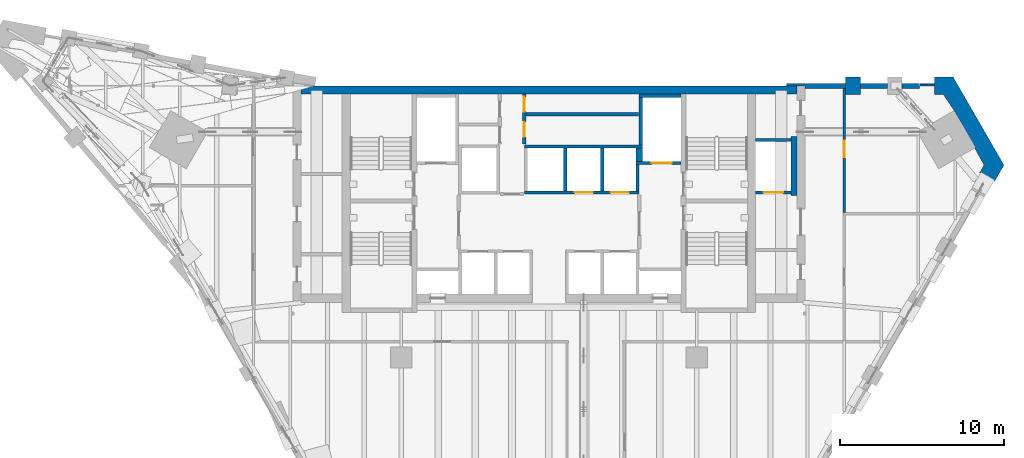
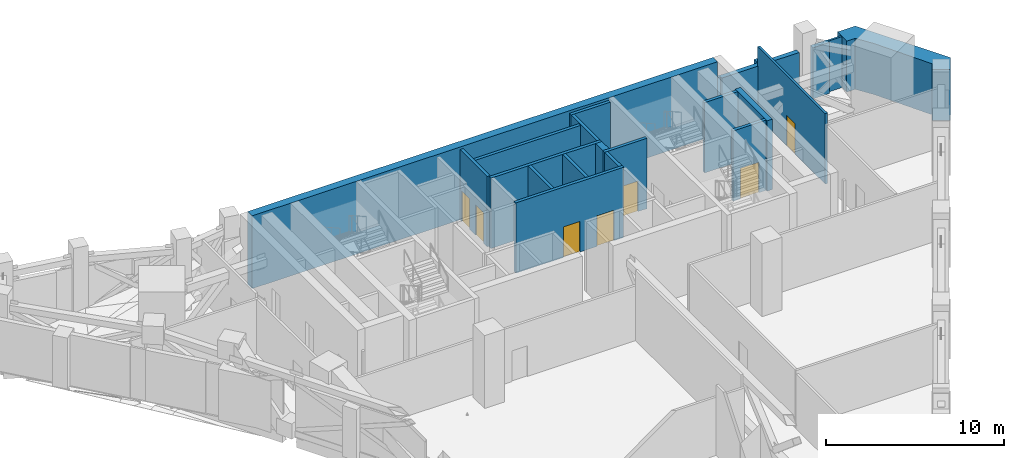
# One storey, part 12 of 22: 22 walls, 7 doors, 7 openings.
"""IFC4 building model written with IfcOpenShell, lengths in metres."""

import ifcopenshell
import ifcopenshell.guid

model = None  # the IFC model being written
_history = None  # IfcOwnerHistory: only IFC2X3 demands one
_inside = {}  # id of a spatial element -> (the spatial element, [elements in it])
_under = {}  # id of a project, library or spatial element -> (it, [spatial elements below it])
_declared = {}  # id of a project -> (the project, [libraries it declares])
_typed = {}  # id of a type object -> (the type object, [elements of that type])
_made_of = {}  # id of a material, layer set ... -> (it, [elements and type objects made of it])


def new_model(schema):
    """Start an empty IFC model of exactly this schema.

    Asked for "IFC4X3", IfcOpenShell would pick the latest addendum, in which some entities
    have other attributes; the version numbers below select the first issue.
    IFC2X3 requires an IfcOwnerHistory on every rooted entity: one is made here for all.
    """
    global model, _history
    if schema == "IFC4X3":
        model = ifcopenshell.file(schema_version=(4, 3, 0, 0))
    else:
        model = ifcopenshell.file(schema=schema)
    _inside.clear()
    _under.clear()
    _declared.clear()
    _typed.clear()
    _made_of.clear()
    _history = None
    if model.schema == "IFC2X3":
        org = make("IfcOrganization", Name="unknown")
        user = make(
            "IfcPersonAndOrganization",
            ThePerson=make("IfcPerson", FamilyName="unknown"),
            TheOrganization=org,
        )
        app = make(
            "IfcApplication",
            ApplicationDeveloper=org,
            Version="unknown",
            ApplicationFullName="unknown",
            ApplicationIdentifier="unknown",
        )
        _history = make(
            "IfcOwnerHistory",
            OwningUser=user,
            OwningApplication=app,
            ChangeAction="ADDED",
            CreationDate=0,
        )
    return model


def make(cls, **values):
    """One entity of the class cls with the attributes given. An attribute that is None is left unset."""
    return model.create_entity(
        cls, **{name: value for name, value in values.items() if value is not None}
    )


def rooted(cls, **values):
    """An entity with a GlobalId (a new one), such as an element, a storey or a relation."""
    return make(cls, GlobalId=ifcopenshell.guid.new(), OwnerHistory=_history, **values)


def si_unit(unit_type, name, prefix=None):
    """IfcSIUnit, for example si_unit("LENGTHUNIT", "METRE", prefix="MILLI")."""
    return make("IfcSIUnit", UnitType=unit_type, Prefix=prefix, Name=name)


def assignment(units):
    """IfcUnitAssignment: the units of a project."""
    return None if units is None else make("IfcUnitAssignment", Units=units)


def point(xyz):
    """IfcCartesianPoint."""
    return None if xyz is None else make("IfcCartesianPoint", Coordinates=xyz)


def direction(xyz):
    """IfcDirection."""
    return None if xyz is None else make("IfcDirection", DirectionRatios=xyz)


def frame(location, z_axis=None, x_axis=None):
    """IfcAxis2Placement3D, a coordinate frame: its origin and axes. An axis left out is left unset."""
    return make(
        "IfcAxis2Placement3D",
        Location=point(location),
        Axis=direction(z_axis),
        RefDirection=direction(x_axis),
    )


def frame_2d(location, x_axis=None):
    """IfcAxis2Placement2D, a coordinate frame in the plane: its origin and x axis."""
    return make(
        "IfcAxis2Placement2D", Location=point(location), RefDirection=direction(x_axis)
    )


def origin():
    """The frame at (0, 0, 0) with its axes left unset."""
    return frame((0.0, 0.0, 0.0))


def place(relative_to, where):
    """IfcLocalPlacement: puts the frame where relative to a parent placement (None: the world)."""
    return make(
        "IfcLocalPlacement", PlacementRelTo=relative_to, RelativePlacement=where
    )


def context(
    kind, dimensions, precision=None, world=None, true_north=None, identifier=None
):
    """IfcGeometricRepresentationContext, for example the 3D "Model" context."""
    return make(
        "IfcGeometricRepresentationContext",
        ContextIdentifier=identifier,
        ContextType=kind,
        CoordinateSpaceDimension=dimensions,
        Precision=precision,
        WorldCoordinateSystem=world,
        TrueNorth=true_north,
    )


def subcontext(parent, identifier, kind, view, scale=None):
    """IfcGeometricRepresentationSubContext, for example "Body" below "Model"."""
    return make(
        "IfcGeometricRepresentationSubContext",
        ContextIdentifier=identifier,
        ContextType=kind,
        ParentContext=parent,
        TargetScale=scale,
        TargetView=view,
    )


def project(units=None, contexts=None):
    """IfcProject with its units and contexts."""
    return rooted(
        "IfcProject",
        Name="project",
        RepresentationContexts=contexts,
        UnitsInContext=assignment(units),
    )


def spatial(cls, under=None, at=None, **own):
    """A site, building, storey or space (cls), placed at a placement, below another one or the project."""
    s = rooted(cls, ObjectPlacement=at, **own)
    if under is not None:
        _under.setdefault(under.id(), (under, []))[1].append(s)
    return s


def polyline(points):
    """IfcPolyline through the points."""
    return make("IfcPolyline", Points=[point(p) for p in points])


def profile(cls, at=None, kind="AREA", **sizes):
    """A parametric profile (cls). Its sizes go by their IFC names, for example OverallWidth=200.0."""
    return make(cls, ProfileType=kind, Position=at, **sizes)


def rectangle(**sizes):
    """IfcRectangleProfileDef."""
    return profile("IfcRectangleProfileDef", **sizes)


def outline(outer, holes=None, kind="AREA"):
    """IfcArbitraryClosedProfileDef: a profile drawn as a closed curve; with holes, ...WithVoids."""
    if holes is None:
        return make("IfcArbitraryClosedProfileDef", ProfileType=kind, OuterCurve=outer)
    return make(
        "IfcArbitraryProfileDefWithVoids",
        ProfileType=kind,
        OuterCurve=outer,
        InnerCurves=holes,
    )


def extrude(swept, where, along, depth):
    """IfcExtrudedAreaSolid: the profile swept, set in the frame where, extruded along a direction by depth."""
    return make(
        "IfcExtrudedAreaSolid",
        SweptArea=swept,
        Position=where,
        ExtrudedDirection=direction(along),
        Depth=depth,
    )


def shape(context_of_items, identifier, shape_type, items):
    """IfcShapeRepresentation: the items that make up one representation, for example the "Body"."""
    return make(
        "IfcShapeRepresentation",
        ContextOfItems=context_of_items,
        RepresentationIdentifier=identifier,
        RepresentationType=shape_type,
        Items=items,
    )


def material(Name=None, Category=None):
    """IfcMaterial."""
    return make("IfcMaterial", Name=Name, Category=Category)


def layer(
    of_material, thickness, ventilated=None, Name=None, Category=None, Priority=None
):
    """IfcMaterialLayer: one layer of a wall or slab, of a material (None: an air gap)."""
    return make(
        "IfcMaterialLayer",
        Material=of_material,
        LayerThickness=thickness,
        IsVentilated=ventilated,
        Name=Name,
        Category=Category,
        Priority=Priority,
    )


def layer_set(layers, Name=None):
    """IfcMaterialLayerSet."""
    return make("IfcMaterialLayerSet", MaterialLayers=layers, LayerSetName=Name)


def made_of(thing, what):
    """Note that an element or type object is made of a material, layer set ...; save() writes the relation."""
    if what is not None:
        _made_of.setdefault(what.id(), (what, []))[1].append(thing)
    return thing


def type_object(cls, material=None, **own):
    """A type object (cls), such as IfcWallType, which elements share."""
    return made_of(rooted(cls, **own), material)


def element(
    cls,
    number,
    at=None,
    inside=None,
    cuts=None,
    type_object=None,
    material=None,
    context=None,
    identifier="Body",
    shape_type=None,
    held_by="IfcProductDefinitionShape",
    body=None,
    shapes=None,
    **own,
):
    """One element of the class cls, such as IfcWall. Its Tag is "e" and its number.

    at: its placement. inside: the storey or other place that contains it. cuts: it is an
    opening in that element (IfcRelVoidsElement). A single representation is given by context,
    identifier, shape_type and body (its items); several are given by shapes. held_by: the class
    of the entity that holds the representations. save() writes the other relations.
    """
    e = rooted(cls, Tag="e%d" % number, ObjectPlacement=at, **own)
    if body is not None:
        shapes = [shape(context, identifier, shape_type, body)]
    if shapes is not None:
        e.Representation = make(held_by, Representations=shapes)
    if inside is not None:
        _inside.setdefault(inside.id(), (inside, []))[1].append(e)
    if cuts is not None:
        rooted(
            "IfcRelVoidsElement", RelatingBuildingElement=cuts, RelatedOpeningElement=e
        )
    if type_object is not None:
        _typed.setdefault(type_object.id(), (type_object, []))[1].append(e)
    return made_of(e, material)


def fill(opening, filler):
    """IfcRelFillsElement: the door or window that sits in an opening."""
    return rooted(
        "IfcRelFillsElement",
        RelatingOpeningElement=opening,
        RelatedBuildingElement=filler,
    )


def aggregate(whole, parts):
    """IfcRelAggregates: a whole, such as a stair, and the parts it consists of."""
    return rooted("IfcRelAggregates", RelatingObject=whole, RelatedObjects=parts)


def save(model, path):
    """Write the relations noted so far, then the file.

    IfcRelAggregates (storeys below a building ...), IfcRelContainedInSpatialStructure (elements
    in a storey), IfcRelDefinesByType, IfcRelAssociatesMaterial and IfcRelDeclares: one each for
    every whole, place, type object, material and project.
    """
    for whole, parts in _under.values():
        aggregate(whole, parts)
    for where, things in _inside.values():
        rooted(
            "IfcRelContainedInSpatialStructure",
            RelatedElements=things,
            RelatingStructure=where,
        )
    for kind, things in _typed.values():
        rooted("IfcRelDefinesByType", RelatedObjects=things, RelatingType=kind)
    for what, things in _made_of.values():
        rooted("IfcRelAssociatesMaterial", RelatedObjects=things, RelatingMaterial=what)
    for by, libraries in _declared.values():
        rooted("IfcRelDeclares", RelatingContext=by, RelatedDefinitions=libraries)
    model.write(path)


model = new_model("IFC4")

# Units and contexts
model_context = context("Model", 3, precision=1e-05, world=origin(), true_north=direction((0.0, 1.0)))
body_context = subcontext(model_context, "Body", "Model", "MODEL_VIEW")
ifc_project = project(units=[si_unit("LENGTHUNIT", "METRE"), si_unit("AREAUNIT", "SQUARE_METRE"), si_unit("VOLUMEUNIT", "CUBIC_METRE"), si_unit("PLANEANGLEUNIT", "RADIAN"), si_unit("MASSUNIT", "GRAM", prefix="KILO")], contexts=[model_context])

# Site, building, storey
site_placement = place(None, origin())
site = spatial("IfcSite", under=ifc_project, at=site_placement, CompositionType="ELEMENT")
building_placement = place(site_placement, origin())
building = spatial("IfcBuilding", under=site, at=building_placement, Name="Calabash Gate Tower", CompositionType="ELEMENT")
storey_placement = place(building_placement, frame((0.0, 0.0, 191.39990234375)))
storey = spatial("IfcBuildingStorey", under=building, at=storey_placement, Name="L45", CompositionType="ELEMENT", Elevation=191.39990234375)

# Walls
ifc_material_1 = material(Name="Terracotta brick masonry, exposed face", Category="masonry")
ifc_layer_1 = layer(ifc_material_1, 1.050048828125)
ifc_layer_set_1 = layer_set([ifc_layer_1], Name="Brick end wall 1050")
wall_type_1 = type_object("IfcWallType", Name="Brick end wall 1050", PredefinedType="SOLIDWALL", material=ifc_layer_set_1)
wall_1_placement = place(storey_placement, origin())
element("IfcWall", 1, at=wall_1_placement, inside=storey, type_object=wall_type_1, Name="Brick pier L45 N6.1", PredefinedType="SOLIDWALL", context=body_context, shape_type="SweptSolid", body=[
    extrude(outline(polyline([(18.081787109375, 18.527587890625), (18.98193359375, 18.527587890625), (18.98193359375, 19.57763671875), (18.081787109375, 19.57763671875), (18.081787109375, 18.527587890625)])), origin(), (0.0, 0.0, 1.0), 3.5),
])
wall_2_placement = place(storey_placement, origin())
element("IfcWall", 2, at=wall_2_placement, inside=storey, type_object=wall_type_1, Name="Brick end wall L45 4", PredefinedType="SOLIDWALL", context=body_context, shape_type="SweptSolid", body=[
    extrude(outline(polyline([(26.241943359375, 13.746826171875), (27.1513671875, 13.221923828125), (27.727783203125, 14.22021484375), (24.634765625, 19.57763671875), (23.48193359375, 19.57763671875), (23.48193359375, 18.527587890625), (24.028564453125, 18.527587890625), (24.69775390625, 17.5439453125), (26.515380859375, 14.22021484375), (26.241943359375, 13.746826171875)])), origin(), (0.0, 0.0, 1.0), 3.5),
])
ifc_material_2 = material(Name="Concrete C70/85", Category="concrete")
ifc_layer_2 = layer(ifc_material_2, 0.5)
ifc_layer_set_2 = layer_set([ifc_layer_2], Name="Core wall 500 Concrete C70/85")
wall_type_2 = type_object("IfcWallType", Name="Core wall 500 Concrete C70/85", PredefinedType="SHEAR", material=ifc_layer_set_2)
wall_3_placement = place(storey_placement, frame((-15.10009765625, 18.802490234375, 0.0), z_axis=(0.0, 0.0, 1.0), x_axis=(1.0, 0.0, 0.0)))
element("IfcWall", 3, at=wall_3_placement, inside=storey, type_object=wall_type_2, Name="Core wall Z3-N L45", PredefinedType="SHEAR", context=body_context, shape_type="SweptSolid", body=[
    extrude(rectangle(XDim=30.2001953125, YDim=0.5, at=frame_2d((15.10009765625, 0.0))), origin(), (0.0, 0.0, 1.0), 5.0),
])

# Wall, opening, door
ifc_material_3 = material(Name="Gypsum board on steel studs, mineral wool", Category="steel")
ifc_layer_3 = layer(ifc_material_3, 0.14990234375)
ifc_layer_set_3 = layer_set([ifc_layer_3], Name="Partition 150 gypsum board")
wall_type_3 = type_object("IfcWallType", Name="Partition 150 gypsum board", PredefinedType="PARTITIONING", material=ifc_layer_set_3)
wall_4_placement = place(storey_placement, frame((18.0, 11.32763671875, 0.0), z_axis=(0.0, 0.0, 1.0), x_axis=(0.0, 1.0, 0.0)))
wall_4 = element("IfcWall", 4, at=wall_4_placement, inside=storey, type_object=wall_type_3, Name="Partition", PredefinedType="PARTITIONING", context=body_context, shape_type="SweptSolid", body=[
    extrude(rectangle(XDim=7.594970703125, YDim=0.14990234375, at=frame_2d((3.79736328125, 0.0))), origin(), (0.0, 0.0, 1.0), 4.830078125),
])
opening_1_placement = place(wall_4_placement, frame((3.375, 0.0, 0.0)))
opening_1 = element("IfcOpeningElement", 5, at=opening_1_placement, cuts=wall_4, Name="Opening L45-022", PredefinedType="OPENING", context=body_context, shape_type="SweptSolid", body=[
    extrude(rectangle(XDim=1.0, YDim=2.10009765625, at=frame_2d((0.5, 1.050048828125))), frame((0.0, 0.0849609375, 0.0), z_axis=(0.0, -1.0, 0.0), x_axis=(1.0, 0.0, 0.0)), (0.0, 0.0, 1.0), 0.169921875),
])
ifc_material_4 = material(Name="Steel fire door set with fire-resisting glazing", Category="steel")
door_type_1 = type_object("IfcDoorType", Name="Fire door D11 1000x2100 FD60", OperationType="NOTDEFINED", PredefinedType="DOOR", material=ifc_material_4)
door_1_placement = place(opening_1_placement, origin())
door_1 = element("IfcDoor", 6, at=door_1_placement, inside=storey, type_object=door_type_1, Name="Fan Room door", OperationType="SINGLE_SWING_LEFT", OverallHeight=2.10009765625, OverallWidth=1.0, PredefinedType="DOOR", context=body_context, shape_type="SweptSolid", body=[
    extrude(rectangle(XDim=1.0, YDim=2.10009765625, at=frame_2d((0.5, 1.050048828125))), frame((0.0, 0.02490234375, 0.0), z_axis=(0.0, -1.0, 0.0), x_axis=(1.0, 0.0, 0.0)), (0.0, 0.0, 1.0), 0.050048828125),
])
fill(opening_1, door_1)

# Wall
ifc_material_5 = material(Name="Concrete C40/50", Category="concrete")
ifc_layer_4 = layer(ifc_material_5, 0.199951171875)
ifc_layer_set_4 = layer_set([ifc_layer_4], Name="Shaft wall 200 Concrete C40/50")
wall_type_4 = type_object("IfcWallType", Name="Shaft wall 200 Concrete C40/50", PredefinedType="SOLIDWALL", material=ifc_layer_set_4)
wall_5_placement = place(storey_placement, frame((14.925048828125, 12.3525390625, 0.0), z_axis=(0.0, 0.0, 1.0), x_axis=(0.0, 1.0, 0.0)))
element("IfcWall", 7, at=wall_5_placement, inside=storey, type_object=wall_type_4, Name="Shaft wall", PredefinedType="SOLIDWALL", context=body_context, shape_type="SweptSolid", body=[
    extrude(rectangle(XDim=3.60009765625, YDim=0.35009765625, at=frame_2d((1.800048828125, 0.0))), origin(), (0.0, 0.0, 1.0), 4.830078125),
])

# Wall, openings, doors
wall_6_placement = place(storey_placement, frame((-1.5, 12.552490234375, 0.0), z_axis=(0.0, 0.0, 1.0), x_axis=(1.0, 0.0, 0.0)))
wall_6 = element("IfcWall", 8, at=wall_6_placement, inside=storey, type_object=wall_type_4, Name="Shaft wall", PredefinedType="SOLIDWALL", context=body_context, shape_type="SweptSolid", body=[
    extrude(rectangle(XDim=7.0, YDim=0.199951171875, at=frame_2d((3.5, 0.0))), origin(), (0.0, 0.0, 1.0), 4.830078125),
])
opening_2_placement = place(wall_6_placement, frame((3.074951171875, 0.0, 0.0)))
opening_2 = element("IfcOpeningElement", 9, at=opening_2_placement, cuts=wall_6, Name="Opening LD-HR5", PredefinedType="OPENING", context=body_context, shape_type="SweptSolid", body=[
    extrude(rectangle(XDim=1.10009765625, YDim=2.10009765625, at=frame_2d((0.550048828125, 1.050048828125))), frame((0.0, 0.10986328125, 0.0), z_axis=(0.0, -1.0, 0.0), x_axis=(1.0, 0.0, 0.0)), (0.0, 0.0, 1.0), 0.219970703125),
])
opening_3_placement = place(wall_6_placement, frame((5.27490234375, 0.0, 0.0)))
opening_3 = element("IfcOpeningElement", 10, at=opening_3_placement, cuts=wall_6, Name="Opening LD-HR6", PredefinedType="OPENING", context=body_context, shape_type="SweptSolid", body=[
    extrude(rectangle(XDim=1.10009765625, YDim=2.10009765625, at=frame_2d((0.550048828125, 1.050048828125))), frame((0.0, 0.10986328125, 0.0), z_axis=(0.0, -1.0, 0.0), x_axis=(1.0, 0.0, 0.0)), (0.0, 0.0, 1.0), 0.219970703125),
])
ifc_material_6 = material(Name="Stainless steel sliding door leaves", Category="steel")
door_type_2 = type_object("IfcDoorType", Name="Lift landing door LS1 1100x2100 FD90", OperationType="DOUBLE_DOOR_SLIDING", PredefinedType="DOOR", material=ifc_material_6)
door_2_placement = place(opening_2_placement, origin())
door_2 = element("IfcDoor", 11, at=door_2_placement, inside=storey, type_object=door_type_2, Name="Lift landing door HR5", OperationType="DOUBLE_DOOR_SLIDING", OverallHeight=2.10009765625, OverallWidth=1.10009765625, PredefinedType="DOOR", context=body_context, shape_type="SweptSolid", body=[
    extrude(rectangle(XDim=1.10009765625, YDim=2.10009765625, at=frame_2d((0.550048828125, 1.050048828125))), frame((0.0, 0.02490234375, 0.0), z_axis=(0.0, -1.0, 0.0), x_axis=(1.0, 0.0, 0.0)), (0.0, 0.0, 1.0), 0.050048828125),
])
fill(opening_2, door_2)
door_3_placement = place(opening_3_placement, origin())
door_3 = element("IfcDoor", 12, at=door_3_placement, inside=storey, type_object=door_type_2, Name="Lift landing door HR6", OperationType="DOUBLE_DOOR_SLIDING", OverallHeight=2.10009765625, OverallWidth=1.10009765625, PredefinedType="DOOR", context=body_context, shape_type="SweptSolid", body=[
    extrude(rectangle(XDim=1.10009765625, YDim=2.10009765625, at=frame_2d((0.550048828125, 1.050048828125))), frame((0.0, 0.02490234375, 0.0), z_axis=(0.0, -1.0, 0.0), x_axis=(1.0, 0.0, 0.0)), (0.0, 0.0, 1.0), 0.050048828125),
])
fill(opening_3, door_3)

# Wall, opening, door
wall_7_placement = place(storey_placement, frame((12.60009765625, 12.552490234375, 0.0), z_axis=(0.0, 0.0, 1.0), x_axis=(1.0, 0.0, 0.0)))
wall_7 = element("IfcWall", 13, at=wall_7_placement, inside=storey, type_object=wall_type_4, Name="Shaft wall", PredefinedType="SOLIDWALL", context=body_context, shape_type="SweptSolid", body=[
    extrude(rectangle(XDim=2.14990234375, YDim=0.199951171875, at=frame_2d((1.074951171875, 0.0))), origin(), (0.0, 0.0, 1.0), 4.830078125),
])
opening_4_placement = place(wall_7_placement, frame((0.47509765625, 0.0, 0.0)))
opening_4 = element("IfcOpeningElement", 14, at=opening_4_placement, cuts=wall_7, Name="Opening LD-SL1", PredefinedType="OPENING", context=body_context, shape_type="SweptSolid", body=[
    extrude(rectangle(XDim=1.199951171875, YDim=2.10009765625, at=frame_2d((0.60009765625, 1.050048828125))), frame((0.0, 0.10986328125, 0.0), z_axis=(0.0, -1.0, 0.0), x_axis=(1.0, 0.0, 0.0)), (0.0, 0.0, 1.0), 0.219970703125),
])
ifc_material_7 = material(Name="Stainless steel sliding door leaves", Category="steel")
door_type_3 = type_object("IfcDoorType", Name="Lift landing door LS3 1200x2100 FD90", OperationType="DOUBLE_DOOR_SLIDING", PredefinedType="DOOR", material=ifc_material_7)
door_4_placement = place(opening_4_placement, origin())
door_4 = element("IfcDoor", 15, at=door_4_placement, inside=storey, type_object=door_type_3, Name="Lift landing door SL1", OperationType="DOUBLE_DOOR_SLIDING", OverallHeight=2.10009765625, OverallWidth=1.199951171875, PredefinedType="DOOR", context=body_context, shape_type="SweptSolid", body=[
    extrude(rectangle(XDim=1.199951171875, YDim=2.10009765625, at=frame_2d((0.60009765625, 1.050048828125))), frame((0.0, 0.02490234375, 0.0), z_axis=(0.0, -1.0, 0.0), x_axis=(1.0, 0.0, 0.0)), (0.0, 0.0, 1.0), 0.050048828125),
])
fill(opening_4, door_4)

# Walls
for number, where, z_axis, x_axis, name in (
    (16, (1.0, 12.652587890625, 0.0), (0.0, 0.0, 1.0), (0.0, 1.0, 0.0), "Shaft wall"),
    (17, (3.25, 12.652587890625, 0.0), (0.0, 0.0, 1.0), (0.0, 1.0, 0.0), "Shaft wall"),
):
    element("IfcWall", number, at=place(storey_placement, frame(where, z_axis=z_axis, x_axis=x_axis)), inside=storey, type_object=wall_type_4, Name=name, PredefinedType="SOLIDWALL", context=body_context, shape_type="SweptSolid", body=[
        extrude(rectangle(XDim=2.60009765625, YDim=0.199951171875, at=frame_2d((1.300048828125, 0.0))), origin(), (0.0, 0.0, 1.0), 4.830078125),
    ])
wall_8_placement = place(storey_placement, frame((5.39990234375, 12.652587890625, 0.0), z_axis=(0.0, 0.0, 1.0), x_axis=(0.0, 1.0, 0.0)))
element("IfcWall", 18, at=wall_8_placement, inside=storey, type_object=wall_type_4, Name="Shaft wall", PredefinedType="SOLIDWALL", context=body_context, shape_type="SweptSolid", body=[
    extrude(rectangle(XDim=1.60009765625, YDim=0.199951171875, at=frame_2d((0.800048828125, 0.0))), origin(), (0.0, 0.0, 1.0), 4.830078125),
])

# Wall, opening, door
wall_9_placement = place(storey_placement, frame((5.300048828125, 14.3525390625, 0.0), z_axis=(0.0, 0.0, 1.0), x_axis=(1.0, 0.0, 0.0)))
wall_9 = element("IfcWall", 19, at=wall_9_placement, inside=storey, type_object=wall_type_4, Name="Shaft wall", PredefinedType="SOLIDWALL", context=body_context, shape_type="SweptSolid", body=[
    extrude(rectangle(XDim=2.75, YDim=0.199951171875, at=frame_2d((1.375, 0.0))), origin(), (0.0, 0.0, 1.0), 4.830078125),
])
opening_5_placement = place(wall_9_placement, frame((0.97509765625, 0.0, 0.0)))
opening_5 = element("IfcOpeningElement", 20, at=opening_5_placement, cuts=wall_9, Name="Opening LD-FF2", PredefinedType="OPENING", context=body_context, shape_type="SweptSolid", body=[
    extrude(rectangle(XDim=1.199951171875, YDim=2.10009765625, at=frame_2d((0.60009765625, 1.050048828125))), frame((0.0, 0.10986328125, 0.0), z_axis=(0.0, -1.0, 0.0), x_axis=(1.0, 0.0, 0.0)), (0.0, 0.0, 1.0), 0.219970703125),
])
door_5_placement = place(opening_5_placement, origin())
door_5 = element("IfcDoor", 21, at=door_5_placement, inside=storey, type_object=door_type_3, Name="Lift landing door FF2", OperationType="DOUBLE_DOOR_SLIDING", OverallHeight=2.10009765625, OverallWidth=1.199951171875, PredefinedType="DOOR", context=body_context, shape_type="SweptSolid", body=[
    extrude(rectangle(XDim=1.199951171875, YDim=2.10009765625, at=frame_2d((0.60009765625, 1.050048828125))), frame((0.0, 0.02490234375, 0.0), z_axis=(0.0, -1.0, 0.0), x_axis=(1.0, 0.0, 0.0)), (0.0, 0.0, 1.0), 0.050048828125),
])
fill(opening_5, door_5)

# Walls
wall_10_placement = place(storey_placement, frame((5.5, 14.45263671875, 0.0), z_axis=(0.0, 0.0, 1.0), x_axis=(0.0, 1.0, 0.0)))
element("IfcWall", 22, at=wall_10_placement, inside=storey, type_object=wall_type_4, Name="Shaft wall", PredefinedType="SOLIDWALL", context=body_context, shape_type="SweptSolid", body=[
    extrude(rectangle(XDim=0.800048828125, YDim=0.39990234375, at=frame_2d((0.39990234375, 0.0))), origin(), (0.0, 0.0, 1.0), 4.830078125),
])
wall_11_placement = place(storey_placement, frame((-1.5, 15.3525390625, 0.0), z_axis=(0.0, 0.0, 1.0), x_axis=(1.0, 0.0, 0.0)))
element("IfcWall", 23, at=wall_11_placement, inside=storey, type_object=wall_type_4, Name="Shaft wall", PredefinedType="SOLIDWALL", context=body_context, shape_type="SweptSolid", body=[
    extrude(rectangle(XDim=7.199951171875, YDim=0.199951171875, at=frame_2d((3.60009765625, 0.0))), origin(), (0.0, 0.0, 1.0), 4.830078125),
])
wall_12_placement = place(storey_placement, frame((5.60009765625, 15.45263671875, 0.0), z_axis=(0.0, 0.0, 1.0), x_axis=(0.0, 1.0, 0.0)))
element("IfcWall", 24, at=wall_12_placement, inside=storey, type_object=wall_type_4, Name="Shaft wall", PredefinedType="SOLIDWALL", context=body_context, shape_type="SweptSolid", body=[
    extrude(rectangle(XDim=2.89990234375, YDim=0.199951171875, at=frame_2d((1.449951171875, 0.0))), origin(), (0.0, 0.0, 1.0), 4.830078125),
])

# Wall, openings, doors
wall_13_placement = place(storey_placement, frame((-1.5, 15.502685546875, 0.0), z_axis=(0.0, 0.0, 1.0), x_axis=(0.0, 1.0, 0.0)))
wall_13 = element("IfcWall", 25, at=wall_13_placement, inside=storey, type_object=wall_type_4, Name="Shaft wall", PredefinedType="SOLIDWALL", context=body_context, shape_type="SweptSolid", body=[
    extrude(rectangle(XDim=3.0498046875, YDim=0.199951171875, at=frame_2d((1.52490234375, 0.0))), origin(), (0.0, 0.0, 1.0), 4.830078125),
])
opening_6_placement = place(wall_13_placement, frame((0.429931640625, 0.0, 0.0)))
opening_6 = element("IfcOpeningElement", 26, at=opening_6_placement, cuts=wall_13, Name="Opening L45-010", PredefinedType="OPENING", context=body_context, shape_type="SweptSolid", body=[
    extrude(rectangle(XDim=0.89990234375, YDim=2.10009765625, at=frame_2d((0.449951171875, 1.050048828125))), frame((0.0, 0.10986328125, 0.0), z_axis=(0.0, -1.0, 0.0), x_axis=(1.0, 0.0, 0.0)), (0.0, 0.0, 1.0), 0.219970703125),
])
opening_7_placement = place(wall_13_placement, frame((1.97998046875, 0.0, 0.0)))
opening_7 = element("IfcOpeningElement", 27, at=opening_7_placement, cuts=wall_13, Name="Opening L45-011", PredefinedType="OPENING", context=body_context, shape_type="SweptSolid", body=[
    extrude(rectangle(XDim=0.89990234375, YDim=2.10009765625, at=frame_2d((0.449951171875, 1.050048828125))), frame((0.0, 0.10986328125, 0.0), z_axis=(0.0, -1.0, 0.0), x_axis=(1.0, 0.0, 0.0)), (0.0, 0.0, 1.0), 0.219970703125),
])
ifc_material_8 = material(Name="Steel fire door set with fire-resisting glazing", Category="steel")
door_type_4 = type_object("IfcDoorType", Name="Fire door D06 900x2100 FD60", OperationType="NOTDEFINED", PredefinedType="DOOR", material=ifc_material_8)
door_6_placement = place(opening_6_placement, origin())
door_6 = element("IfcDoor", 28, at=door_6_placement, inside=storey, type_object=door_type_4, Name="Mechanical Fan Room door", OperationType="SINGLE_SWING_LEFT", OverallHeight=2.10009765625, OverallWidth=0.89990234375, PredefinedType="DOOR", context=body_context, shape_type="SweptSolid", body=[
    extrude(rectangle(XDim=0.89990234375, YDim=2.10009765625, at=frame_2d((0.449951171875, 1.050048828125))), frame((0.0, 0.02490234375, 0.0), z_axis=(0.0, -1.0, 0.0), x_axis=(1.0, 0.0, 0.0)), (0.0, 0.0, 1.0), 0.050048828125),
])
fill(opening_6, door_6)
door_7_placement = place(opening_7_placement, origin())
door_7 = element("IfcDoor", 29, at=door_7_placement, inside=storey, type_object=door_type_4, Name="Plant BMS Room door", OperationType="SINGLE_SWING_LEFT", OverallHeight=2.10009765625, OverallWidth=0.89990234375, PredefinedType="DOOR", context=body_context, shape_type="SweptSolid", body=[
    extrude(rectangle(XDim=0.89990234375, YDim=2.10009765625, at=frame_2d((0.449951171875, 1.050048828125))), frame((0.0, 0.02490234375, 0.0), z_axis=(0.0, -1.0, 0.0), x_axis=(1.0, 0.0, 0.0)), (0.0, 0.0, 1.0), 0.050048828125),
])
fill(opening_7, door_7)

# Walls
wall_14_placement = place(storey_placement, frame((12.60009765625, 15.752685546875, 0.0), z_axis=(0.0, 0.0, 1.0), x_axis=(1.0, 0.0, 0.0)))
element("IfcWall", 30, at=wall_14_placement, inside=storey, type_object=wall_type_4, Name="Shaft wall", PredefinedType="SOLIDWALL", context=body_context, shape_type="SweptSolid", body=[
    extrude(rectangle(XDim=2.14990234375, YDim=0.199951171875, at=frame_2d((1.074951171875, 0.0))), origin(), (0.0, 0.0, 1.0), 4.830078125),
])
wall_15_placement = place(storey_placement, frame((-1.39990234375, 17.3125, 0.0), z_axis=(0.0, 0.0, 1.0), x_axis=(1.0, 0.0, 0.0)))
element("IfcWall", 31, at=wall_15_placement, inside=storey, type_object=wall_type_4, Name="Shaft wall", PredefinedType="SOLIDWALL", context=body_context, shape_type="SweptSolid", body=[
    extrude(rectangle(XDim=6.849853515625, YDim=0.199951171875, at=frame_2d((3.4248046875, 0.0))), origin(), (0.0, 0.0, 1.0), 4.830078125),
])
wall_16_placement = place(storey_placement, frame((5.5, 18.45263671875, 0.0), z_axis=(0.0, 0.0, 1.0), x_axis=(1.0, 0.0, 0.0)))
element("IfcWall", 32, at=wall_16_placement, inside=storey, type_object=wall_type_4, Name="Shaft wall", PredefinedType="SOLIDWALL", context=body_context, shape_type="SweptSolid", body=[
    extrude(rectangle(XDim=2.550048828125, YDim=0.199951171875, at=frame_2d((1.27490234375, 0.0))), origin(), (0.0, 0.0, 1.0), 4.830078125),
])
ifc_material_9 = material(Name="Terracotta brick masonry, perforated", Category="masonry")
ifc_layer_5 = layer(ifc_material_9, 0.1201171875)
ifc_layer_set_5 = layer_set([ifc_layer_5], Name="Terracotta jaali cladding A 120")
wall_type_5 = type_object("IfcWallType", Name="Terracotta jaali cladding A 120", PredefinedType="SOLIDWALL", material=ifc_layer_set_5)
wall_17_placement = place(storey_placement, frame((22.611572265625, 19.112548828125, 0.0), z_axis=(0.0, 0.0, 1.0), x_axis=(1.0, 0.0, 0.0)))
element("IfcWall", 33, at=wall_17_placement, inside=storey, type_object=wall_type_5, Name="Jaali cladding L45 N6.c11", PredefinedType="SOLIDWALL", context=body_context, shape_type="SweptSolid", body=[
    extrude(rectangle(XDim=0.866455078125, YDim=0.1201171875, at=frame_2d((0.43310546875, 0.0))), origin(), (0.0, 0.0, 1.0), 3.5),
])
ifc_material_10 = material(Name="Terracotta louvre blades in an aluminium frame", Category="masonry")
ifc_layer_6 = layer(ifc_material_10, 0.300048828125)
ifc_layer_set_6 = layer_set([ifc_layer_6], Name="Terracotta louvre wall 300")
wall_type_6 = type_object("IfcWallType", Name="Terracotta louvre wall 300", PredefinedType="ELEMENTEDWALL", material=ifc_layer_set_6)
wall_18_placement = place(storey_placement, origin())
element("IfcWall", 34, at=wall_18_placement, inside=storey, type_object=wall_type_6, Name="LOUVRE L45 N6.1a", PredefinedType="ELEMENTEDWALL", context=body_context, shape_type="SweptSolid", body=[
    extrude(outline(polyline([(22.581787109375, 19.20263671875), (21.52197265625, 19.20263671875), (21.52197265625, 18.902587890625), (22.581787109375, 18.902587890625), (22.581787109375, 19.20263671875)])), origin(), (0.0, 0.0, 1.0), 3.5),
])
wall_19_placement = place(storey_placement, origin())
element("IfcWall", 35, at=wall_19_placement, inside=storey, type_object=wall_type_6, Name="LOUVRE L45 N6.1b", PredefinedType="ELEMENTEDWALL", context=body_context, shape_type="SweptSolid", body=[
    extrude(outline(polyline([(18.98193359375, 18.902587890625), (20.6220703125, 18.902587890625), (20.6220703125, 19.20263671875), (18.98193359375, 19.20263671875), (18.98193359375, 18.902587890625)])), origin(), (0.0, 0.0, 1.0), 3.5),
])
wall_20_placement = place(storey_placement, origin())
element("IfcWall", 36, at=wall_20_placement, inside=storey, type_object=wall_type_6, Name="LOUVRE L45 N6.2", PredefinedType="ELEMENTEDWALL", context=body_context, shape_type="SweptSolid", body=[
    extrude(outline(polyline([(18.081787109375, 19.20263671875), (14.48193359375, 19.20263671875), (14.48193359375, 19.052490234375), (15.60009765625, 19.052490234375), (15.60009765625, 18.902587890625), (18.081787109375, 18.902587890625), (18.081787109375, 19.20263671875)])), origin(), (0.0, 0.0, 1.0), 3.5),
])

save(model, "model.ifc")
